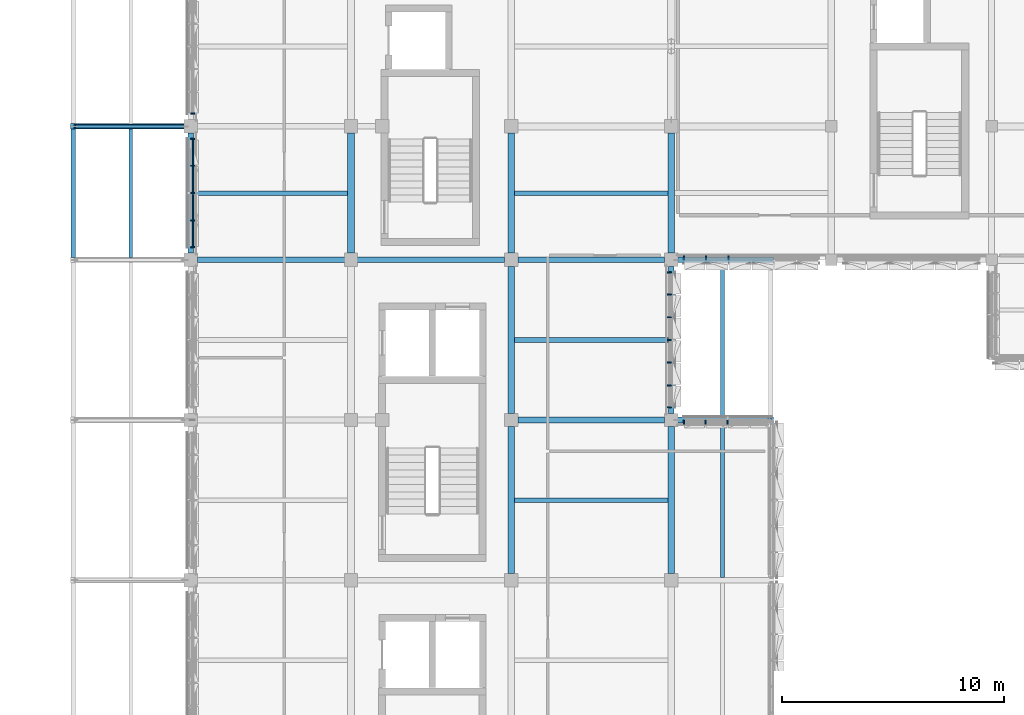
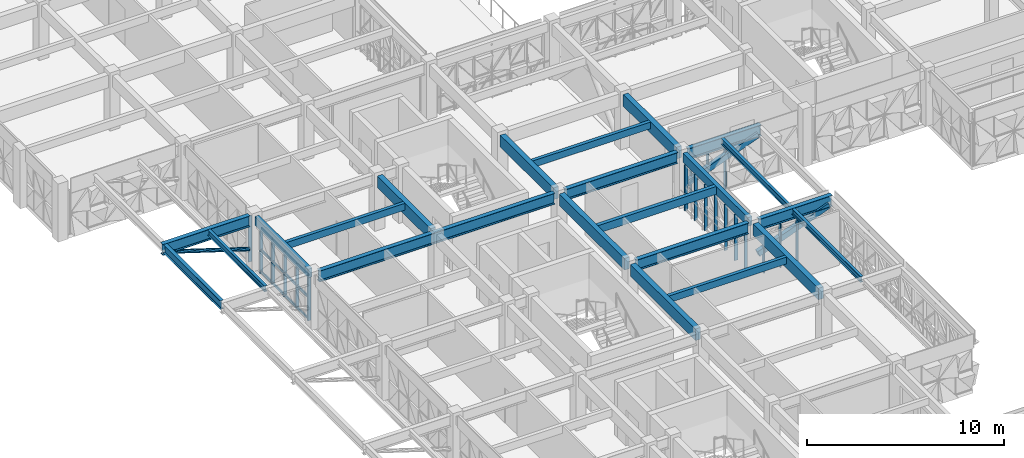
# One storey, part 6 of 99: 34 members, 22 beams, 5 elements without a shape of their own.
"""IFC4 building model written with IfcOpenShell, lengths in metres."""

from ifc_helpers import new_model, si_unit, direction, frame, origin, origin_2d, place, context, subcontext, project, spatial, rectangle, hollow_rectangle, hollow_circle, i_section, extrude, material, material_profile, profile_set, type_object, element, aggregate, save


model = new_model("IFC4")

# Units and contexts
model_context = context("Model", 3, precision=1e-05, world=origin(), true_north=direction((0.0, 1.0)))
body_context = subcontext(model_context, "Body", "Model", "MODEL_VIEW")
ifc_project = project(units=[si_unit("LENGTHUNIT", "METRE"), si_unit("AREAUNIT", "SQUARE_METRE"), si_unit("VOLUMEUNIT", "CUBIC_METRE"), si_unit("PLANEANGLEUNIT", "RADIAN"), si_unit("MASSUNIT", "GRAM", prefix="KILO")], contexts=[model_context])

# Site, building, storey
site_placement = place(None, origin())
site = spatial("IfcSite", under=ifc_project, at=site_placement, CompositionType="ELEMENT")
building_placement = place(site_placement, origin())
building = spatial("IfcBuilding", under=site, at=building_placement, Name="Alvorim Cloister Faculty of Sciences", CompositionType="ELEMENT")
storey_placement = place(building_placement, frame((0.0, 0.0, 12.14990234375)))
storey = spatial("IfcBuildingStorey", under=building, at=storey_placement, Name="L03", CompositionType="ELEMENT", Elevation=12.14990234375)

# Beams
ifc_material_1 = material(Name="Glulam GL32h", Category="wood")
ifc_material_profile_1 = material_profile(ifc_material_1, rectangle(XDim=0.300048828125, YDim=0.719970703125, at=origin_2d()), Name="GL32-BM-300x720")
ifc_profile_set_1 = profile_set([ifc_material_profile_1], Name="Glulam GL32h")
beam_type_1 = type_object("IfcBeamType", Name="BM-GL-300x720", PredefinedType="BEAM", material=ifc_profile_set_1)
beam_1_placement = place(storey_placement, frame((14.39990234375, 43.5, 3.030029296875), z_axis=(0.0, 1.0, 0.0), x_axis=(-1.0, 0.0, 0.0)))
element("IfcBeam", 1, at=beam_1_placement, inside=storey, type_object=beam_type_1, Name="L03 Primary Girder BM-1608", PredefinedType="BEAM", context=body_context, shape_type="SweptSolid", body=[
    extrude(rectangle(XDim=0.300048828125, YDim=0.719970703125, at=origin_2d()), origin(), (0.0, 0.0, 1.0), 5.39990234375),
])
for number, where, z_axis, x_axis, name in (
    (2, (21.60009765625, 29.10009765625, 3.030029296875), (0.0, 1.0, 0.0), (-1.0, 0.0, 0.0), "L03 Primary Girder BM-1622"),
    (3, (21.60009765625, 36.300048828125, 3.030029296875), (0.0, 1.0, 0.0), (-1.0, 0.0, 0.0), "L03 Primary Girder BM-1623"),
):
    element("IfcBeam", number, at=place(storey_placement, frame(where, z_axis=z_axis, x_axis=x_axis)), inside=storey, type_object=beam_type_1, Name=name, PredefinedType="BEAM", context=body_context, shape_type="SweptSolid", body=[
        extrude(rectangle(XDim=0.300048828125, YDim=0.719970703125, at=origin_2d()), origin(), (0.0, 0.0, 1.0), 6.599853515625),
    ])
beam_2_placement = place(storey_placement, frame((21.60009765625, 43.5, 3.030029296875), z_axis=(0.0, 1.0, 0.0), x_axis=(-1.0, 0.0, 0.0)))
element("IfcBeam", 4, at=beam_2_placement, inside=storey, type_object=beam_type_1, Name="L03 Primary Girder BM-1624", PredefinedType="BEAM", context=body_context, shape_type="SweptSolid", body=[
    extrude(rectangle(XDim=0.300048828125, YDim=0.719970703125, at=origin_2d()), origin(), (0.0, 0.0, 1.0), 5.39990234375),
])
beam_3_placement = place(storey_placement, frame((28.800048828125, 29.10009765625, 3.030029296875), z_axis=(0.0, 1.0, 0.0), x_axis=(-1.0, 0.0, 0.0)))
element("IfcBeam", 5, at=beam_3_placement, inside=storey, type_object=beam_type_1, Name="L03 Primary Girder BM-1638", PredefinedType="BEAM", context=body_context, shape_type="SweptSolid", body=[
    extrude(rectangle(XDim=0.300048828125, YDim=0.719970703125, at=origin_2d()), origin(), (0.0, 0.0, 1.0), 6.599853515625),
])
beam_4_placement = place(storey_placement, frame((28.800048828125, 43.5, 3.030029296875), z_axis=(0.0, 1.0, 0.0), x_axis=(-1.0, 0.0, 0.0)))
element("IfcBeam", 6, at=beam_4_placement, inside=storey, type_object=beam_type_1, Name="L03 Primary Girder BM-1640", PredefinedType="BEAM", context=body_context, shape_type="SweptSolid", body=[
    extrude(rectangle(XDim=0.300048828125, YDim=0.719970703125, at=origin_2d()), origin(), (0.0, 0.0, 1.0), 5.39990234375),
])
ifc_material_2 = material(Name="Glulam GL28h", Category="wood")
ifc_material_profile_2 = material_profile(ifc_material_2, rectangle(XDim=0.199951171875, YDim=0.419921875, at=origin_2d()), Name="GL28-JST-200x420")
ifc_profile_set_2 = profile_set([ifc_material_profile_2], Name="Glulam GL28h")
beam_type_2 = type_object("IfcBeamType", Name="BM-JST-GL-200x420", PredefinedType="JOIST", material=ifc_profile_set_2)
beam_5_placement = place(storey_placement, frame((7.320068359375, 46.199951171875, 3.18017578125), z_axis=(1.0, 0.0, 0.0), x_axis=(0.0, 1.0, 0.0)))
element("IfcBeam", 7, at=beam_5_placement, inside=storey, type_object=beam_type_2, Name="L03 Secondary Floor Joist BM-1682", PredefinedType="JOIST", context=body_context, shape_type="SweptSolid", body=[
    extrude(rectangle(XDim=0.199951171875, YDim=0.419921875, at=origin_2d()), origin(), (0.0, 0.0, 1.0), 6.929931640625),
])
for number, where, z_axis, x_axis, name in (
    (8, (21.75, 32.39990234375, 3.18017578125), (1.0, 0.0, 0.0), (0.0, 1.0, 0.0), "L03 Secondary Floor Joist BM-1704"),
    (9, (21.75, 46.199951171875, 3.18017578125), (1.0, 0.0, 0.0), (0.0, 1.0, 0.0), "L03 Secondary Floor Joist BM-1706"),
):
    element("IfcBeam", number, at=place(storey_placement, frame(where, z_axis=z_axis, x_axis=x_axis)), inside=storey, type_object=beam_type_2, Name=name, PredefinedType="JOIST", context=body_context, shape_type="SweptSolid", body=[
        extrude(rectangle(XDim=0.199951171875, YDim=0.419921875, at=origin_2d()), origin(), (0.0, 0.0, 1.0), 6.89990234375),
    ])
ifc_material_profile_3 = material_profile(ifc_material_2, rectangle(XDim=0.219970703125, YDim=0.47998046875, at=origin_2d()), Name="GL28-JST-220x480")
ifc_profile_set_3 = profile_set([ifc_material_profile_3], Name="Glulam GL28h")
beam_type_3 = type_object("IfcBeamType", Name="BM-JST-GL-220x480", PredefinedType="JOIST", material=ifc_profile_set_3)
beam_6_placement = place(storey_placement, frame((21.75, 39.60009765625, 3.150146484375), z_axis=(1.0, 0.0, 0.0), x_axis=(0.0, 1.0, 0.0)))
element("IfcBeam", 10, at=beam_6_placement, inside=storey, type_object=beam_type_3, Name="L03 Secondary Floor Joist BM-1705", PredefinedType="JOIST", context=body_context, shape_type="SweptSolid", body=[
    extrude(rectangle(XDim=0.219970703125, YDim=0.47998046875, at=origin_2d()), origin(), (0.0, 0.0, 1.0), 6.929931640625),
])
ifc_material_profile_4 = material_profile(ifc_material_2, rectangle(XDim=0.239990234375, YDim=0.5400390625, at=origin_2d()), Name="GL28-SPD-240x540")
ifc_profile_set_4 = profile_set([ifc_material_profile_4], Name="Glulam GL28h")
beam_type_4 = type_object("IfcBeamType", Name="BM-SPD-GL-240x540", PredefinedType="SPANDREL", material=ifc_profile_set_4)
beam_7_placement = place(storey_placement, frame((7.199951171875, 43.5, 3.1201171875), z_axis=(0.0, 1.0, 0.0), x_axis=(-1.0, 0.0, 0.0)))
element("IfcBeam", 11, at=beam_7_placement, inside=storey, type_object=beam_type_4, Name="L03 Primary Girder BM-1592", PredefinedType="SPANDREL", context=body_context, shape_type="SweptSolid", body=[
    extrude(rectangle(XDim=0.239990234375, YDim=0.5400390625, at=origin_2d()), origin(), (0.0, 0.0, 1.0), 5.39990234375),
])
beam_8_placement = place(storey_placement, frame((28.800048828125, 36.300048828125, 3.1201171875), z_axis=(0.0, 1.0, 0.0), x_axis=(-1.0, 0.0, 0.0)))
element("IfcBeam", 12, at=beam_8_placement, inside=storey, type_object=beam_type_4, Name="L03 Primary Girder BM-1639", PredefinedType="SPANDREL", context=body_context, shape_type="SweptSolid", body=[
    extrude(rectangle(XDim=0.239990234375, YDim=0.5400390625, at=origin_2d()), origin(), (0.0, 0.0, 1.0), 6.599853515625),
])
ifc_material_3 = material(Name="Steel ASTM A572 Grade 50", Category="steel")
ifc_material_profile_5 = material_profile(ifc_material_3, i_section(OverallWidth=0.1708984375, OverallDepth=0.35498046875, WebThickness=0.007080078125, FlangeThickness=0.01171875, FilletRadius=0.012939453125, at=origin_2d()), Name="W360x51.0")
ifc_profile_set_5 = profile_set([ifc_material_profile_5], Name="Steel ASTM A572 Grade 50")
beam_type_5 = type_object("IfcBeamType", Name="BM-STL-W360", PredefinedType="JOIST", material=ifc_profile_set_5)
beam_9_placement = place(storey_placement, frame((31.10009765625, 28.909912109375, 3.212646484375), z_axis=(0.0, 1.0, 0.0), x_axis=(-1.0, 0.0, 0.0)))
element("IfcBeam", 13, at=beam_9_placement, inside=storey, type_object=beam_type_5, Name="L03 Cantilever Deck Joist BM-0030", PredefinedType="JOIST", context=body_context, shape_type="SweptSolid", body=[
    extrude(i_section(OverallWidth=0.1708984375, OverallDepth=0.35498046875, WebThickness=0.007080078125, FlangeThickness=0.01171875, FilletRadius=0.012939453125, at=origin_2d()), origin(), (0.0, 0.0, 1.0), 6.97998046875),
])
beam_10_placement = place(storey_placement, frame((4.5, 43.31005859375, 3.212646484375), z_axis=(0.0, 1.0, 0.0), x_axis=(-1.0, 0.0, 0.0)))
element("IfcBeam", 14, at=beam_10_placement, inside=storey, type_object=beam_type_5, Name="L03 Cantilever Deck Joist BM-0080", PredefinedType="JOIST", context=body_context, shape_type="SweptSolid", body=[
    extrude(i_section(OverallWidth=0.1708984375, OverallDepth=0.35498046875, WebThickness=0.007080078125, FlangeThickness=0.01171875, FilletRadius=0.012939453125, at=origin_2d()), origin(), (0.0, 0.0, 1.0), 5.780029296875),
])
beam_11_placement = place(storey_placement, frame((31.10009765625, 36.110107421875, 3.212646484375), z_axis=(0.0, 1.0, 0.0), x_axis=(-1.0, 0.0, 0.0)))
element("IfcBeam", 15, at=beam_11_placement, inside=storey, type_object=beam_type_5, Name="L03 Cantilever Deck Joist BM-0130", PredefinedType="JOIST", context=body_context, shape_type="SweptSolid", body=[
    extrude(i_section(OverallWidth=0.1708984375, OverallDepth=0.35498046875, WebThickness=0.007080078125, FlangeThickness=0.01171875, FilletRadius=0.012939453125, at=origin_2d()), origin(), (0.0, 0.0, 1.0), 6.97998046875),
])
ifc_material_profile_6 = material_profile(ifc_material_3, i_section(OverallWidth=0.208984375, OverallDepth=0.532958984375, WebThickness=0.01025390625, FlangeThickness=0.015625, FilletRadius=0.01611328125, at=origin_2d()), Name="W530x92.0")
ifc_profile_set_6 = profile_set([ifc_material_profile_6], Name="Steel ASTM A572 Grade 50")
beam_type_6 = type_object("IfcBeamType", Name="BM-STL-W530", PredefinedType="BEAM", material=ifc_profile_set_6)
beam_12_placement = place(storey_placement, frame((1.919921875, 43.31005859375, 3.12353515625), z_axis=(0.0, 1.0, 0.0), x_axis=(-1.0, 0.0, 0.0)))
element("IfcBeam", 16, at=beam_12_placement, inside=storey, type_object=beam_type_6, Name="L03 Cantilever Tip Header Girder BM-0079", PredefinedType="BEAM", context=body_context, shape_type="SweptSolid", body=[
    extrude(i_section(OverallWidth=0.208984375, OverallDepth=0.532958984375, WebThickness=0.01025390625, FlangeThickness=0.015625, FilletRadius=0.01611328125, at=origin_2d()), origin(), (0.0, 0.0, 1.0), 5.780029296875),
])
ifc_material_profile_7 = material_profile(ifc_material_3, i_section(OverallWidth=0.25390625, OverallDepth=0.68408203125, WebThickness=0.012451171875, FlangeThickness=0.01904296875, FilletRadius=0.01904296875, at=origin_2d()), Name="W690x140.0")
ifc_profile_set_7 = profile_set([ifc_material_profile_7], Name="Steel ASTM A572 Grade 50")
beam_type_7 = type_object("IfcBeamType", Name="BM-STL-W690", PredefinedType="BEAM", material=ifc_profile_set_7)
beam_13_placement = place(storey_placement, frame((21.89990234375, 36.0, 3.048095703125), z_axis=(1.0, 0.0, 0.0), x_axis=(0.0, 1.0, 0.0)))
element("IfcBeam", 17, at=beam_13_placement, inside=storey, type_object=beam_type_7, Name="L03 Cantilever Backspan Girder BM-0025", PredefinedType="BEAM", context=body_context, shape_type="SweptSolid", body=[
    extrude(i_section(OverallWidth=0.25390625, OverallDepth=0.68408203125, WebThickness=0.012451171875, FlangeThickness=0.01904296875, FilletRadius=0.01904296875, at=origin_2d()), origin(), (0.0, 0.0, 1.0), 6.60009765625),
])
beam_14_placement = place(storey_placement, frame((29.10009765625, 36.0, 3.048095703125), z_axis=(1.0, 0.0, 0.0), x_axis=(0.0, 1.0, 0.0)))
element("IfcBeam", 18, at=beam_14_placement, inside=storey, type_object=beam_type_7, Name="L03 Cantilever Overhang Girder BM-0026", PredefinedType="BEAM", context=body_context, shape_type="SweptSolid", body=[
    extrude(i_section(OverallWidth=0.25390625, OverallDepth=0.68408203125, WebThickness=0.012451171875, FlangeThickness=0.01904296875, FilletRadius=0.01904296875, at=origin_2d()), origin(), (0.0, 0.0, 1.0), 4.2998046875),
])
beam_15_placement = place(storey_placement, frame((7.5, 43.199951171875, 3.048095703125), z_axis=(1.0, 0.0, 0.0), x_axis=(0.0, 1.0, 0.0)))
element("IfcBeam", 19, at=beam_15_placement, inside=storey, type_object=beam_type_7, Name="L03 Cantilever Backspan Girder BM-0067", PredefinedType="BEAM", context=body_context, shape_type="SweptSolid", body=[
    extrude(i_section(OverallWidth=0.25390625, OverallDepth=0.68408203125, WebThickness=0.012451171875, FlangeThickness=0.01904296875, FilletRadius=0.01904296875, at=origin_2d()), origin(), (0.0, 0.0, 1.0), 13.800048828125),
])
beam_16_placement = place(storey_placement, frame((1.800048828125, 49.199951171875, 3.048095703125), z_axis=(1.0, 0.0, 0.0), x_axis=(0.0, 1.0, 0.0)))
element("IfcBeam", 20, at=beam_16_placement, inside=storey, type_object=beam_type_7, Name="L03 Cantilever Overhang Girder BM-0070", PredefinedType="BEAM", context=body_context, shape_type="SweptSolid", body=[
    extrude(i_section(OverallWidth=0.25390625, OverallDepth=0.68408203125, WebThickness=0.012451171875, FlangeThickness=0.01904296875, FilletRadius=0.01904296875, at=origin_2d()), origin(), (0.0, 0.0, 1.0), 5.099853515625),
])
beam_17_placement = place(storey_placement, frame((21.89990234375, 43.199951171875, 3.048095703125), z_axis=(1.0, 0.0, 0.0), x_axis=(0.0, 1.0, 0.0)))
element("IfcBeam", 21, at=beam_17_placement, inside=storey, type_object=beam_type_7, Name="L03 Cantilever Backspan Girder BM-0127", PredefinedType="BEAM", context=body_context, shape_type="SweptSolid", body=[
    extrude(i_section(OverallWidth=0.25390625, OverallDepth=0.68408203125, WebThickness=0.012451171875, FlangeThickness=0.01904296875, FilletRadius=0.01904296875, at=origin_2d()), origin(), (0.0, 0.0, 1.0), 6.60009765625),
])
beam_18_placement = place(storey_placement, frame((29.10009765625, 43.199951171875, 3.048095703125), z_axis=(1.0, 0.0, 0.0), x_axis=(0.0, 1.0, 0.0)))
element("IfcBeam", 22, at=beam_18_placement, inside=storey, type_object=beam_type_7, Name="L03 Cantilever Overhang Girder BM-0128", PredefinedType="BEAM", context=body_context, shape_type="SweptSolid", body=[
    extrude(i_section(OverallWidth=0.25390625, OverallDepth=0.68408203125, WebThickness=0.012451171875, FlangeThickness=0.01904296875, FilletRadius=0.01904296875, at=origin_2d()), origin(), (0.0, 0.0, 1.0), 4.2998046875),
])

# Curtain wall, members
ifc_material_4 = material(Name="Aluminium and Low-E Glass Curtain Wall", Category="aluminium")
curtain_wall_type_1 = type_object("IfcCurtainWallType", Name="CW-TRI-4920x2850", PredefinedType="USERDEFINED", material=ifc_material_4)
curtain_wall_1_placement = place(storey_placement, origin())
curtain_wall_1 = element("IfcCurtainWall", 23, at=curtain_wall_1_placement, inside=storey, type_object=curtain_wall_type_1, Name="L03 Diagonal Cassette Curtain Wall CW-0103", ObjectType="UNITISED CURTAIN WALL", PredefinedType="USERDEFINED")
ifc_material_5 = material(Name="Aluminium Alloy 6063-T6", Category="aluminium")
ifc_material_profile_8 = material_profile(ifc_material_5, rectangle(XDim=0.06494140625, YDim=0.179931640625, at=origin_2d()), Name="ALU-MUL-65x180")
ifc_profile_set_8 = profile_set([ifc_material_profile_8], Name="Aluminium Alloy 6063-T6")
member_type_1 = type_object("IfcMemberType", Name="CW-MUL-65x180", PredefinedType="MULLION", material=ifc_profile_set_8)
member_1_placement = place(storey_placement, frame((7.2900390625, 43.7724609375, 0.0), z_axis=(0.0, 0.0, 1.0), x_axis=(0.0, 1.0, 0.0)))
member_1 = element("IfcMember", 24, at=member_1_placement, type_object=member_type_1, Name="CW-0103 Mullion 1", PredefinedType="MULLION", context=body_context, shape_type="SweptSolid", body=[
    extrude(rectangle(XDim=0.06494140625, YDim=0.179931640625, at=origin_2d()), origin(), (0.0, 0.0, 1.0), 2.85009765625),
])
member_2_placement = place(storey_placement, frame((7.2900390625, 44.969970703125, 0.0), z_axis=(0.0, 0.0, 1.0), x_axis=(0.0, 1.0, 0.0)))
member_2 = element("IfcMember", 25, at=member_2_placement, type_object=member_type_1, Name="CW-0103 Mullion 2", PredefinedType="MULLION", context=body_context, shape_type="SweptSolid", body=[
    extrude(rectangle(XDim=0.06494140625, YDim=0.179931640625, at=origin_2d()), origin(), (0.0, 0.0, 1.0), 2.85009765625),
])
member_3_placement = place(storey_placement, frame((7.2900390625, 46.199951171875, 0.0), z_axis=(0.0, 0.0, 1.0), x_axis=(0.0, 1.0, 0.0)))
member_3 = element("IfcMember", 26, at=member_3_placement, type_object=member_type_1, Name="CW-0103 Mullion 3", PredefinedType="MULLION", context=body_context, shape_type="SweptSolid", body=[
    extrude(rectangle(XDim=0.06494140625, YDim=0.179931640625, at=origin_2d()), origin(), (0.0, 0.0, 1.0), 2.85009765625),
])
member_4_placement = place(storey_placement, frame((7.2900390625, 47.429931640625, 0.0), z_axis=(0.0, 0.0, 1.0), x_axis=(0.0, 1.0, 0.0)))
member_4 = element("IfcMember", 27, at=member_4_placement, type_object=member_type_1, Name="CW-0103 Mullion 4", PredefinedType="MULLION", context=body_context, shape_type="SweptSolid", body=[
    extrude(rectangle(XDim=0.06494140625, YDim=0.179931640625, at=origin_2d()), origin(), (0.0, 0.0, 1.0), 2.85009765625),
])
member_5_placement = place(storey_placement, frame((7.2900390625, 48.62744140625, 0.0), z_axis=(0.0, 0.0, 1.0), x_axis=(0.0, 1.0, 0.0)))
member_5 = element("IfcMember", 28, at=member_5_placement, type_object=member_type_1, Name="CW-0103 Mullion 5", PredefinedType="MULLION", context=body_context, shape_type="SweptSolid", body=[
    extrude(rectangle(XDim=0.06494140625, YDim=0.179931640625, at=origin_2d()), origin(), (0.0, 0.0, 1.0), 2.85009765625),
])

# Curtain wall, member
curtain_wall_type_2 = type_object("IfcCurtainWallType", Name="CW-TRI-6120x2850", PredefinedType="USERDEFINED", material=ifc_material_4)
curtain_wall_2_placement = place(storey_placement, origin())
curtain_wall_2 = element("IfcCurtainWall", 29, at=curtain_wall_2_placement, inside=storey, type_object=curtain_wall_type_2, Name="L03 Diagonal Cassette Curtain Wall CW-0104", ObjectType="UNITISED CURTAIN WALL", PredefinedType="USERDEFINED")
member_6_placement = place(storey_placement, frame((7.2900390625, 49.7724609375, 0.0), z_axis=(0.0, 0.0, 1.0), x_axis=(0.0, 1.0, 0.0)))
member_6 = element("IfcMember", 30, at=member_6_placement, type_object=member_type_1, Name="CW-0104 Mullion 1", PredefinedType="MULLION", context=body_context, shape_type="SweptSolid", body=[
    extrude(rectangle(XDim=0.06494140625, YDim=0.179931640625, at=origin_2d()), origin(), (0.0, 0.0, 1.0), 2.85009765625),
])
aggregate(curtain_wall_2, [member_6])

# Curtain wall, members
curtain_wall_type_3 = type_object("IfcCurtainWallType", Name="CW-TRI-6120x2706", PredefinedType="USERDEFINED", material=ifc_material_4)
curtain_wall_3_placement = place(storey_placement, origin())
curtain_wall_3 = element("IfcCurtainWall", 31, at=curtain_wall_3_placement, inside=storey, type_object=curtain_wall_type_3, Name="L03 Diagonal Cassette Curtain Wall CW-0138", ObjectType="UNITISED CURTAIN WALL", PredefinedType="USERDEFINED")
member_7_placement = place(storey_placement, frame((29.37255859375, 43.2900390625, 0.0), z_axis=(0.0, 0.0, 1.0), x_axis=(1.0, 0.0, 0.0)))
member_7 = element("IfcMember", 32, at=member_7_placement, type_object=member_type_1, Name="CW-0138 Mullion 1", PredefinedType="MULLION", context=body_context, shape_type="SweptSolid", body=[
    extrude(rectangle(XDim=0.06494140625, YDim=0.179931640625, at=origin_2d()), origin(), (0.0, 0.0, 1.0), 2.7060546875),
])
member_8_placement = place(storey_placement, frame((30.360107421875, 43.2900390625, 0.0), z_axis=(0.0, 0.0, 1.0), x_axis=(1.0, 0.0, 0.0)))
member_8 = element("IfcMember", 33, at=member_8_placement, type_object=member_type_1, Name="CW-0138 Mullion 2", PredefinedType="MULLION", context=body_context, shape_type="SweptSolid", body=[
    extrude(rectangle(XDim=0.06494140625, YDim=0.179931640625, at=origin_2d()), origin(), (0.0, 0.0, 1.0), 2.7060546875),
])
member_9_placement = place(storey_placement, frame((31.3798828125, 43.2900390625, 0.0), z_axis=(0.0, 0.0, 1.0), x_axis=(1.0, 0.0, 0.0)))
member_9 = element("IfcMember", 34, at=member_9_placement, type_object=member_type_1, Name="CW-0138 Mullion 3", PredefinedType="MULLION", context=body_context, shape_type="SweptSolid", body=[
    extrude(rectangle(XDim=0.06494140625, YDim=0.179931640625, at=origin_2d()), origin(), (0.0, 0.0, 1.0), 2.7060546875),
])
aggregate(curtain_wall_3, [member_7, member_8, member_9])

curtain_wall_4_placement = place(storey_placement, origin())
curtain_wall_4 = element("IfcCurtainWall", 35, at=curtain_wall_4_placement, inside=storey, type_object=curtain_wall_type_2, Name="L03 Diagonal Cassette Curtain Wall CW-0139", ObjectType="UNITISED CURTAIN WALL", PredefinedType="USERDEFINED")
member_10_placement = place(storey_placement, frame((28.7099609375, 36.572509765625, 0.0), z_axis=(0.0, 0.0, 1.0), x_axis=(0.0, 1.0, 0.0)))
member_10 = element("IfcMember", 36, at=member_10_placement, type_object=member_type_1, Name="CW-0139 Mullion 1", PredefinedType="MULLION", context=body_context, shape_type="SweptSolid", body=[
    extrude(rectangle(XDim=0.06494140625, YDim=0.179931640625, at=origin_2d()), origin(), (0.0, 0.0, 1.0), 2.85009765625),
])
member_11_placement = place(storey_placement, frame((28.7099609375, 37.56005859375, 0.0), z_axis=(0.0, 0.0, 1.0), x_axis=(0.0, 1.0, 0.0)))
member_11 = element("IfcMember", 37, at=member_11_placement, type_object=member_type_1, Name="CW-0139 Mullion 2", PredefinedType="MULLION", context=body_context, shape_type="SweptSolid", body=[
    extrude(rectangle(XDim=0.06494140625, YDim=0.179931640625, at=origin_2d()), origin(), (0.0, 0.0, 1.0), 2.85009765625),
])
member_12_placement = place(storey_placement, frame((28.7099609375, 38.580078125, 0.0), z_axis=(0.0, 0.0, 1.0), x_axis=(0.0, 1.0, 0.0)))
member_12 = element("IfcMember", 38, at=member_12_placement, type_object=member_type_1, Name="CW-0139 Mullion 3", PredefinedType="MULLION", context=body_context, shape_type="SweptSolid", body=[
    extrude(rectangle(XDim=0.06494140625, YDim=0.179931640625, at=origin_2d()), origin(), (0.0, 0.0, 1.0), 2.85009765625),
])
member_13_placement = place(storey_placement, frame((28.7099609375, 39.60009765625, 0.0), z_axis=(0.0, 0.0, 1.0), x_axis=(0.0, 1.0, 0.0)))
member_13 = element("IfcMember", 39, at=member_13_placement, type_object=member_type_1, Name="CW-0139 Mullion 4", PredefinedType="MULLION", context=body_context, shape_type="SweptSolid", body=[
    extrude(rectangle(XDim=0.06494140625, YDim=0.179931640625, at=origin_2d()), origin(), (0.0, 0.0, 1.0), 2.85009765625),
])
member_14_placement = place(storey_placement, frame((28.7099609375, 40.6201171875, 0.0), z_axis=(0.0, 0.0, 1.0), x_axis=(0.0, 1.0, 0.0)))
member_14 = element("IfcMember", 40, at=member_14_placement, type_object=member_type_1, Name="CW-0139 Mullion 5", PredefinedType="MULLION", context=body_context, shape_type="SweptSolid", body=[
    extrude(rectangle(XDim=0.06494140625, YDim=0.179931640625, at=origin_2d()), origin(), (0.0, 0.0, 1.0), 2.85009765625),
])
member_15_placement = place(storey_placement, frame((28.7099609375, 41.639892578125, 0.0), z_axis=(0.0, 0.0, 1.0), x_axis=(0.0, 1.0, 0.0)))
member_15 = element("IfcMember", 41, at=member_15_placement, type_object=member_type_1, Name="CW-0139 Mullion 6", PredefinedType="MULLION", context=body_context, shape_type="SweptSolid", body=[
    extrude(rectangle(XDim=0.06494140625, YDim=0.179931640625, at=origin_2d()), origin(), (0.0, 0.0, 1.0), 2.85009765625),
])
member_16_placement = place(storey_placement, frame((28.7099609375, 42.62744140625, 0.0), z_axis=(0.0, 0.0, 1.0), x_axis=(0.0, 1.0, 0.0)))
member_16 = element("IfcMember", 42, at=member_16_placement, type_object=member_type_1, Name="CW-0139 Mullion 7", PredefinedType="MULLION", context=body_context, shape_type="SweptSolid", body=[
    extrude(rectangle(XDim=0.06494140625, YDim=0.179931640625, at=origin_2d()), origin(), (0.0, 0.0, 1.0), 2.85009765625),
])
aggregate(curtain_wall_4, [member_10, member_11, member_12, member_13, member_14, member_15, member_16])

curtain_wall_type_4 = type_object("IfcCurtainWallType", Name="CW-TRI-3980x2706", PredefinedType="USERDEFINED", material=ifc_material_4)
curtain_wall_5_placement = place(storey_placement, origin())
curtain_wall_5 = element("IfcCurtainWall", 43, at=curtain_wall_5_placement, inside=storey, type_object=curtain_wall_type_4, Name="L03 Diagonal Cassette Curtain Wall CW-0140", ObjectType="UNITISED CURTAIN WALL", PredefinedType="USERDEFINED")
member_17_placement = place(storey_placement, frame((29.37255859375, 35.909912109375, 0.0), z_axis=(0.0, 0.0, 1.0), x_axis=(1.0, 0.0, 0.0)))
member_17 = element("IfcMember", 44, at=member_17_placement, type_object=member_type_1, Name="CW-0140 Mullion 1", PredefinedType="MULLION", context=body_context, shape_type="SweptSolid", body=[
    extrude(rectangle(XDim=0.06494140625, YDim=0.179931640625, at=origin_2d()), origin(), (0.0, 0.0, 1.0), 2.7060546875),
])
member_18_placement = place(storey_placement, frame((30.3349609375, 35.909912109375, 0.0), z_axis=(0.0, 0.0, 1.0), x_axis=(1.0, 0.0, 0.0)))
member_18 = element("IfcMember", 45, at=member_18_placement, type_object=member_type_1, Name="CW-0140 Mullion 2", PredefinedType="MULLION", context=body_context, shape_type="SweptSolid", body=[
    extrude(rectangle(XDim=0.06494140625, YDim=0.179931640625, at=origin_2d()), origin(), (0.0, 0.0, 1.0), 2.7060546875),
])
member_19_placement = place(storey_placement, frame((31.330078125, 35.909912109375, 0.0), z_axis=(0.0, 0.0, 1.0), x_axis=(1.0, 0.0, 0.0)))
member_19 = element("IfcMember", 46, at=member_19_placement, type_object=member_type_1, Name="CW-0140 Mullion 3", PredefinedType="MULLION", context=body_context, shape_type="SweptSolid", body=[
    extrude(rectangle(XDim=0.06494140625, YDim=0.179931640625, at=origin_2d()), origin(), (0.0, 0.0, 1.0), 2.7060546875),
])
aggregate(curtain_wall_5, [member_17, member_18, member_19])

# Member
ifc_material_profile_9 = material_profile(ifc_material_5, rectangle(XDim=0.06494140625, YDim=0.139892578125, at=origin_2d()), Name="ALU-TRN-65x140")
ifc_profile_set_9 = profile_set([ifc_material_profile_9], Name="Aluminium Alloy 6063-T6")
member_type_2 = type_object("IfcMemberType", Name="CW-TRN-65x140", PredefinedType="USERDEFINED", material=ifc_profile_set_9)
member_20_placement = place(storey_placement, frame((7.2900390625, 43.804931640625, 0.070068359375), z_axis=(0.0, 1.0, 0.0), x_axis=(-1.0, 0.0, 0.0)))
member_20 = element("IfcMember", 47, at=member_20_placement, type_object=member_type_2, Name="CW-0103 Transom 1.1", ObjectType="TRANSOM", PredefinedType="USERDEFINED", context=body_context, shape_type="SweptSolid", body=[
    extrude(rectangle(XDim=0.06494140625, YDim=0.139892578125, at=origin_2d()), origin(), (0.0, 0.0, 1.0), 1.132568359375),
])

member_21_placement = place(storey_placement, frame((7.2900390625, 43.804931640625, 1.425048828125), z_axis=(0.0, 1.0, 0.0), x_axis=(-1.0, 0.0, 0.0)))
member_21 = element("IfcMember", 48, at=member_21_placement, type_object=member_type_2, Name="CW-0103 Transom 1.2", ObjectType="TRANSOM", PredefinedType="USERDEFINED", context=body_context, shape_type="SweptSolid", body=[
    extrude(rectangle(XDim=0.06494140625, YDim=0.139892578125, at=origin_2d()), origin(), (0.0, 0.0, 1.0), 1.132568359375),
])

member_22_placement = place(storey_placement, frame((7.2900390625, 43.804931640625, 2.780029296875), z_axis=(0.0, 1.0, 0.0), x_axis=(-1.0, 0.0, 0.0)))
member_22 = element("IfcMember", 49, at=member_22_placement, type_object=member_type_2, Name="CW-0103 Transom 1.3", ObjectType="TRANSOM", PredefinedType="USERDEFINED", context=body_context, shape_type="SweptSolid", body=[
    extrude(rectangle(XDim=0.06494140625, YDim=0.139892578125, at=origin_2d()), origin(), (0.0, 0.0, 1.0), 1.132568359375),
])

member_23_placement = place(storey_placement, frame((7.2900390625, 45.00244140625, 0.070068359375), z_axis=(0.0, 1.0, 0.0), x_axis=(-1.0, 0.0, 0.0)))
member_23 = element("IfcMember", 50, at=member_23_placement, type_object=member_type_2, Name="CW-0103 Transom 2.1", ObjectType="TRANSOM", PredefinedType="USERDEFINED", context=body_context, shape_type="SweptSolid", body=[
    extrude(rectangle(XDim=0.06494140625, YDim=0.139892578125, at=origin_2d()), origin(), (0.0, 0.0, 1.0), 1.1650390625),
])

member_24_placement = place(storey_placement, frame((7.2900390625, 45.00244140625, 1.425048828125), z_axis=(0.0, 1.0, 0.0), x_axis=(-1.0, 0.0, 0.0)))
member_24 = element("IfcMember", 51, at=member_24_placement, type_object=member_type_2, Name="CW-0103 Transom 2.2", ObjectType="TRANSOM", PredefinedType="USERDEFINED", context=body_context, shape_type="SweptSolid", body=[
    extrude(rectangle(XDim=0.06494140625, YDim=0.139892578125, at=origin_2d()), origin(), (0.0, 0.0, 1.0), 1.1650390625),
])

member_25_placement = place(storey_placement, frame((7.2900390625, 45.00244140625, 2.780029296875), z_axis=(0.0, 1.0, 0.0), x_axis=(-1.0, 0.0, 0.0)))
member_25 = element("IfcMember", 52, at=member_25_placement, type_object=member_type_2, Name="CW-0103 Transom 2.3", ObjectType="TRANSOM", PredefinedType="USERDEFINED", context=body_context, shape_type="SweptSolid", body=[
    extrude(rectangle(XDim=0.06494140625, YDim=0.139892578125, at=origin_2d()), origin(), (0.0, 0.0, 1.0), 1.1650390625),
])

member_26_placement = place(storey_placement, frame((7.2900390625, 46.232421875, 0.070068359375), z_axis=(0.0, 1.0, 0.0), x_axis=(-1.0, 0.0, 0.0)))
member_26 = element("IfcMember", 53, at=member_26_placement, type_object=member_type_2, Name="CW-0103 Transom 3.1", ObjectType="TRANSOM", PredefinedType="USERDEFINED", context=body_context, shape_type="SweptSolid", body=[
    extrude(rectangle(XDim=0.06494140625, YDim=0.139892578125, at=origin_2d()), origin(), (0.0, 0.0, 1.0), 1.1650390625),
])

member_27_placement = place(storey_placement, frame((7.2900390625, 46.232421875, 1.425048828125), z_axis=(0.0, 1.0, 0.0), x_axis=(-1.0, 0.0, 0.0)))
member_27 = element("IfcMember", 54, at=member_27_placement, type_object=member_type_2, Name="CW-0103 Transom 3.2", ObjectType="TRANSOM", PredefinedType="USERDEFINED", context=body_context, shape_type="SweptSolid", body=[
    extrude(rectangle(XDim=0.06494140625, YDim=0.139892578125, at=origin_2d()), origin(), (0.0, 0.0, 1.0), 1.1650390625),
])

member_28_placement = place(storey_placement, frame((7.2900390625, 46.232421875, 2.780029296875), z_axis=(0.0, 1.0, 0.0), x_axis=(-1.0, 0.0, 0.0)))
member_28 = element("IfcMember", 55, at=member_28_placement, type_object=member_type_2, Name="CW-0103 Transom 3.3", ObjectType="TRANSOM", PredefinedType="USERDEFINED", context=body_context, shape_type="SweptSolid", body=[
    extrude(rectangle(XDim=0.06494140625, YDim=0.139892578125, at=origin_2d()), origin(), (0.0, 0.0, 1.0), 1.1650390625),
])

member_29_placement = place(storey_placement, frame((7.2900390625, 47.46240234375, 0.070068359375), z_axis=(0.0, 1.0, 0.0), x_axis=(-1.0, 0.0, 0.0)))
member_29 = element("IfcMember", 56, at=member_29_placement, type_object=member_type_2, Name="CW-0103 Transom 4.1", ObjectType="TRANSOM", PredefinedType="USERDEFINED", context=body_context, shape_type="SweptSolid", body=[
    extrude(rectangle(XDim=0.06494140625, YDim=0.139892578125, at=origin_2d()), origin(), (0.0, 0.0, 1.0), 1.132568359375),
])

member_30_placement = place(storey_placement, frame((7.2900390625, 47.46240234375, 1.425048828125), z_axis=(0.0, 1.0, 0.0), x_axis=(-1.0, 0.0, 0.0)))
member_30 = element("IfcMember", 57, at=member_30_placement, type_object=member_type_2, Name="CW-0103 Transom 4.2", ObjectType="TRANSOM", PredefinedType="USERDEFINED", context=body_context, shape_type="SweptSolid", body=[
    extrude(rectangle(XDim=0.06494140625, YDim=0.139892578125, at=origin_2d()), origin(), (0.0, 0.0, 1.0), 1.132568359375),
])

member_31_placement = place(storey_placement, frame((7.2900390625, 47.46240234375, 2.780029296875), z_axis=(0.0, 1.0, 0.0), x_axis=(-1.0, 0.0, 0.0)))
member_31 = element("IfcMember", 58, at=member_31_placement, type_object=member_type_2, Name="CW-0103 Transom 4.3", ObjectType="TRANSOM", PredefinedType="USERDEFINED", context=body_context, shape_type="SweptSolid", body=[
    extrude(rectangle(XDim=0.06494140625, YDim=0.139892578125, at=origin_2d()), origin(), (0.0, 0.0, 1.0), 1.132568359375),
])

aggregate(curtain_wall_1, [member_1, member_2, member_3, member_4, member_5, member_20, member_21, member_22, member_23, member_24, member_25, member_26, member_27, member_28, member_29, member_30, member_31])

# Members
ifc_material_profile_10 = material_profile(ifc_material_3, hollow_circle(Radius=0.109619140625, WallThickness=0.010009765625, at=origin_2d()), Name="CHS219.1x10")
ifc_profile_set_10 = profile_set([ifc_material_profile_10], Name="Steel ASTM A572 Grade 50")
member_type_3 = type_object("IfcMemberType", Name="MB-BRC-CHS219", PredefinedType="BRACE", material=ifc_profile_set_10)
member_32_placement = place(storey_placement, frame((6.919921875, 49.199951171875, 1.25), z_axis=(-0.953578391509, 0.0, 0.301144900748), x_axis=(0.0, -1.0, 0.0)))
element("IfcMember", 59, at=member_32_placement, inside=storey, type_object=member_type_3, Name="L03 Cantilever Raker Strut MB-0011", PredefinedType="BRACE", context=body_context, shape_type="SweptSolid", body=[
    extrude(hollow_circle(Radius=0.109619140625, WallThickness=0.010009765625, at=origin_2d()), origin(), (0.0, 0.0, 1.0), 5.180419921875),
])
ifc_material_profile_11 = material_profile(ifc_material_3, hollow_rectangle(XDim=0.25, YDim=0.35009765625, WallThickness=0.012451171875, at=origin_2d()), Name="RHS350x250x12.5")
ifc_profile_set_11 = profile_set([ifc_material_profile_11], Name="Steel ASTM A572 Grade 50")
member_type_4 = type_object("IfcMemberType", Name="MB-BRC-RHS350", PredefinedType="BRACE", material=ifc_profile_set_11)
for number, where, z_axis, x_axis, name in (
    (60, (29.080078125, 36.0, 1.25), (0.935763270662, 0.0, 0.352628843518), (0.0, 1.0, 0.0), "L03 Cantilever Raker Strut MB-0013"),
    (61, (29.080078125, 43.199951171875, 1.25), (0.935763270662, 0.0, 0.352628843518), (0.0, 1.0, 0.0), "L03 Cantilever Raker Strut MB-0014"),
):
    element("IfcMember", number, at=place(storey_placement, frame(where, z_axis=z_axis, x_axis=x_axis)), inside=storey, type_object=member_type_4, Name=name, PredefinedType="BRACE", context=body_context, shape_type="SweptSolid", body=[
        extrude(hollow_rectangle(XDim=0.25, YDim=0.35009765625, WallThickness=0.012451171875, at=origin_2d()), origin(), (0.0, 0.0, 1.0), 4.424072265625),
    ])

save(model, "model.ifc")
